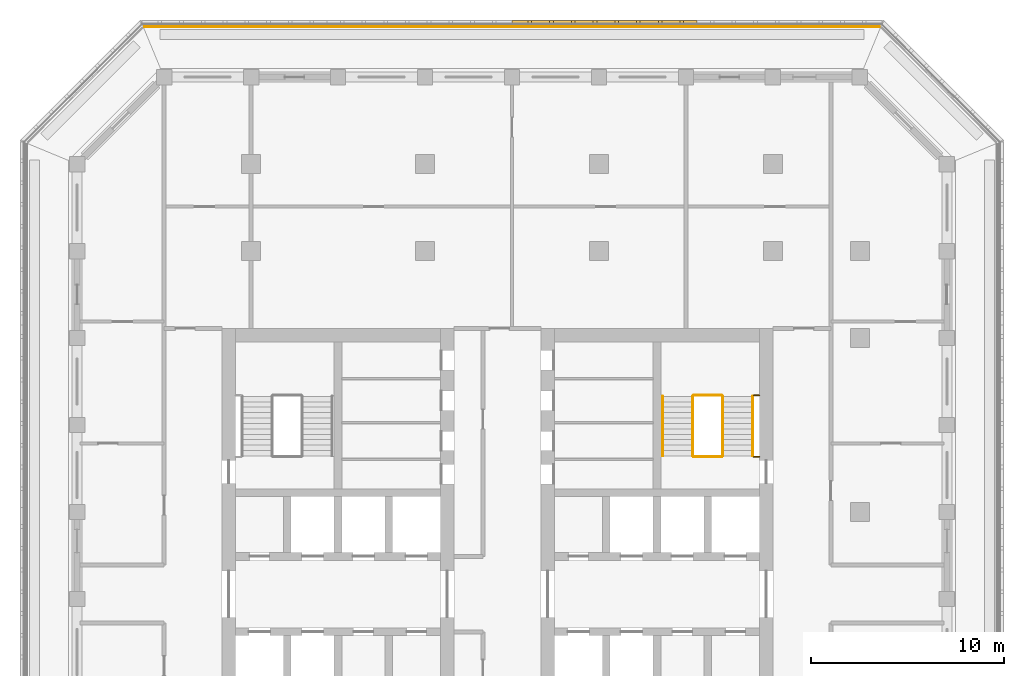
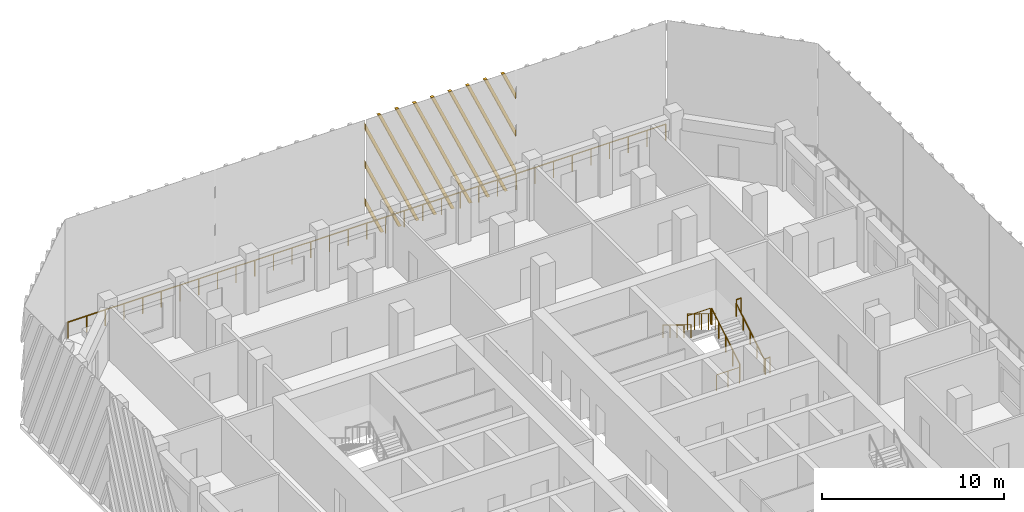
# One storey, part 15 of 17: 9 railings, 1 shading device.
"""IFC4 building model written with IfcOpenShell, lengths in metres."""

from ifc_helpers import new_model, si_unit, direction, frame, origin, origin_2d, place, context, subcontext, project, spatial, polyline, circle, outline, extrude, source, transform, mapped, material, type_object, element, save


model = new_model("IFC4")

# Units and contexts
model_context = context("Model", 3, precision=1e-05, world=origin(), true_north=direction((0.0, 1.0)))
body_context = subcontext(model_context, "Body", "Model", "MODEL_VIEW")
ifc_project = project(units=[si_unit("LENGTHUNIT", "METRE"), si_unit("AREAUNIT", "SQUARE_METRE"), si_unit("VOLUMEUNIT", "CUBIC_METRE"), si_unit("PLANEANGLEUNIT", "RADIAN"), si_unit("MASSUNIT", "GRAM", prefix="KILO")], contexts=[model_context])

# Site, building, storey
site_placement = place(None, origin())
site = spatial("IfcSite", under=ifc_project, at=site_placement, CompositionType="ELEMENT")
building_placement = place(site_placement, origin())
building = spatial("IfcBuilding", under=site, at=building_placement, Name="Corbel Stack Research Tower", CompositionType="ELEMENT")
storey_placement = place(building_placement, frame((0.0, 0.0, 239.800048828125)))
storey = spatial("IfcBuildingStorey", under=building, at=storey_placement, Name="L54", CompositionType="ELEMENT", Elevation=239.800048828125)

# Railings
ifc_material_1 = material(Name="Steel S355", Category="steel")
railing_type_1 = type_object("IfcRailingType", Name="Stair guard 1100", PredefinedType="GUARDRAIL", material=ifc_material_1)
railing_1_placement = place(storey_placement, frame((15.39990234375, 11.89990234375, 0.1708984375)))
element("IfcRailing", 1, at=railing_1_placement, inside=storey, type_object=railing_type_1, Name="L54 ST-E2 stair guard 1", PredefinedType="GUARDRAIL", context=body_context, shape_type="SweptSolid", body=[
    extrude(circle(Radius=0.02392578125, at=origin_2d()), frame((0.0, 0.0, 1.076171875), z_axis=(0.0, 0.853666305674, 0.52082035152), x_axis=(-1.0, 0.0, 0.0)), (0.0, 0.0, 1.0), 3.608154296875),
    extrude(circle(Radius=0.02099609375, at=origin_2d()), origin(), (0.0, 0.0, 1.0), 1.052001953125),
    extrude(circle(Radius=0.02099609375, at=origin_2d()), frame((0.0, 0.77001953125, 0.4697265625)), (0.0, 0.0, 1.0), 1.052001953125),
    extrude(circle(Radius=0.02099609375, at=origin_2d()), frame((0.0, 1.5400390625, 0.939453125)), (0.0, 0.0, 1.0), 1.052001953125),
    extrude(circle(Radius=0.02099609375, at=origin_2d()), frame((0.0, 2.31005859375, 1.409423828125)), (0.0, 0.0, 1.0), 1.052001953125),
    extrude(circle(Radius=0.02099609375, at=origin_2d()), frame((0.0, 3.080078125, 1.879150390625)), (0.0, 0.0, 1.0), 1.052001953125),
])
railing_2_placement = place(storey_placement, frame((15.35009765625, 15.030029296875, 2.050048828125)))
element("IfcRailing", 2, at=railing_2_placement, inside=storey, type_object=railing_type_1, Name="L54 ST-E2 stair guard 2", PredefinedType="GUARDRAIL", context=body_context, shape_type="SweptSolid", body=[
    extrude(circle(Radius=0.02392578125, at=origin_2d()), frame((0.0, 0.0, 1.076171875), z_axis=(-1.0, 0.0, 0.0), x_axis=(0.0, -1.0, 0.0)), (0.0, 0.0, 1.0), 1.4501953125),
    extrude(circle(Radius=0.02099609375, at=origin_2d()), origin(), (0.0, 0.0, 1.0), 1.052001953125),
    extrude(circle(Radius=0.02099609375, at=origin_2d()), frame((-0.72509765625, 0.0, 0.0)), (0.0, 0.0, 1.0), 1.052001953125),
    extrude(circle(Radius=0.02099609375, at=origin_2d()), frame((-1.4501953125, 0.0, 0.0)), (0.0, 0.0, 1.0), 1.052001953125),
])
railing_3_placement = place(storey_placement, frame((17.300048828125, 15.030029296875, 2.050048828125)))
element("IfcRailing", 3, at=railing_3_placement, inside=storey, type_object=railing_type_1, Name="L54 ST-E2 stair guard 3", PredefinedType="GUARDRAIL", context=body_context, shape_type="SweptSolid", body=[
    extrude(circle(Radius=0.02392578125, at=origin_2d()), frame((0.0, 0.0, 1.076171875), z_axis=(-1.0, 0.0, 0.0), x_axis=(0.0, -1.0, 0.0)), (0.0, 0.0, 1.0), 0.300048828125),
    extrude(circle(Radius=0.02099609375, at=origin_2d()), origin(), (0.0, 0.0, 1.0), 1.052001953125),
    extrude(circle(Radius=0.02099609375, at=origin_2d()), frame((-0.300048828125, 0.0, 0.0)), (0.0, 0.0, 1.0), 1.052001953125),
])
railing_4_placement = place(storey_placement, frame((13.85009765625, 14.97998046875, 2.220703125)))
element("IfcRailing", 4, at=railing_4_placement, inside=storey, type_object=railing_type_1, Name="L54 ST-E2 stair guard 4", PredefinedType="GUARDRAIL", context=body_context, shape_type="SweptSolid", body=[
    extrude(circle(Radius=0.02392578125, at=origin_2d()), frame((0.0, 0.0, 1.076171875), z_axis=(0.0, -0.853666305674, 0.52082035152), x_axis=(1.0, 0.0, 0.0)), (0.0, 0.0, 1.0), 3.608154296875),
    extrude(circle(Radius=0.02099609375, at=origin_2d()), origin(), (0.0, 0.0, 1.0), 1.052001953125),
    extrude(circle(Radius=0.02099609375, at=origin_2d()), frame((0.0, -0.77001953125, 0.4697265625)), (0.0, 0.0, 1.0), 1.052001953125),
    extrude(circle(Radius=0.02099609375, at=origin_2d()), frame((0.0, -1.5400390625, 0.939453125)), (0.0, 0.0, 1.0), 1.052001953125),
    extrude(circle(Radius=0.02099609375, at=origin_2d()), frame((0.0, -2.31005859375, 1.409423828125)), (0.0, 0.0, 1.0), 1.052001953125),
    extrude(circle(Radius=0.02099609375, at=origin_2d()), frame((0.0, -3.080078125, 1.879150390625)), (0.0, 0.0, 1.0), 1.052001953125),
])
railing_5_placement = place(storey_placement, frame((15.35009765625, 11.85009765625, 0.0)))
element("IfcRailing", 5, at=railing_5_placement, inside=storey, type_object=railing_type_1, Name="L54 ST-E2 stair guard 5", PredefinedType="GUARDRAIL", context=body_context, shape_type="SweptSolid", body=[
    extrude(circle(Radius=0.02392578125, at=origin_2d()), frame((0.0, 0.0, 1.076171875), z_axis=(-1.0, 0.0, 0.0), x_axis=(0.0, -1.0, 0.0)), (0.0, 0.0, 1.0), 1.4501953125),
    extrude(circle(Radius=0.02099609375, at=origin_2d()), origin(), (0.0, 0.0, 1.0), 1.052001953125),
    extrude(circle(Radius=0.02099609375, at=origin_2d()), frame((-0.72509765625, 0.0, 0.0)), (0.0, 0.0, 1.0), 1.052001953125),
    extrude(circle(Radius=0.02099609375, at=origin_2d()), frame((-1.4501953125, 0.0, 0.0)), (0.0, 0.0, 1.0), 1.052001953125),
])
railing_6_placement = place(storey_placement, frame((17.300048828125, 11.85009765625, 0.0)))
element("IfcRailing", 6, at=railing_6_placement, inside=storey, type_object=railing_type_1, Name="L54 ST-E2 stair guard 6", PredefinedType="GUARDRAIL", context=body_context, shape_type="SweptSolid", body=[
    extrude(circle(Radius=0.02392578125, at=origin_2d()), frame((0.0, 0.0, 1.076171875), z_axis=(-1.0, 0.0, 0.0), x_axis=(0.0, -1.0, 0.0)), (0.0, 0.0, 1.0), 0.300048828125),
    extrude(circle(Radius=0.02099609375, at=origin_2d()), origin(), (0.0, 0.0, 1.0), 1.052001953125),
    extrude(circle(Radius=0.02099609375, at=origin_2d()), frame((-0.300048828125, 0.0, 0.0)), (0.0, 0.0, 1.0), 1.052001953125),
])
ifc_material_2 = material(Name="Steel S355", Category="steel")
railing_type_2 = type_object("IfcRailingType", Name="Stair handrail 900", PredefinedType="HANDRAIL", material=ifc_material_2)
railing_7_placement = place(storey_placement, frame((16.949951171875, 11.89990234375, 0.1708984375)))
element("IfcRailing", 7, at=railing_7_placement, inside=storey, type_object=railing_type_2, Name="L54 ST-E2 stair handrail 1", PredefinedType="HANDRAIL", context=body_context, shape_type="SweptSolid", body=[
    extrude(circle(Radius=0.02392578125, at=origin_2d()), frame((0.0, 0.0, 0.8759765625), z_axis=(0.0, 0.853666305674, 0.52082035152), x_axis=(-1.0, 0.0, 0.0)), (0.0, 0.0, 1.0), 3.608154296875),
    extrude(circle(Radius=0.02099609375, at=origin_2d()), origin(), (0.0, 0.0, 1.0), 0.851806640625),
    extrude(circle(Radius=0.02099609375, at=origin_2d()), frame((0.0, 0.77001953125, 0.4697265625)), (0.0, 0.0, 1.0), 0.851806640625),
    extrude(circle(Radius=0.02099609375, at=origin_2d()), frame((0.0, 1.5400390625, 0.939453125)), (0.0, 0.0, 1.0), 0.851806640625),
    extrude(circle(Radius=0.02099609375, at=origin_2d()), frame((0.0, 2.31005859375, 1.409423828125)), (0.0, 0.0, 1.0), 0.851806640625),
    extrude(circle(Radius=0.02099609375, at=origin_2d()), frame((0.0, 3.080078125, 1.879150390625)), (0.0, 0.0, 1.0), 0.851806640625),
])
railing_8_placement = place(storey_placement, frame((12.300048828125, 14.97998046875, 2.220703125)))
element("IfcRailing", 8, at=railing_8_placement, inside=storey, type_object=railing_type_2, Name="L54 ST-E2 stair handrail 2", PredefinedType="HANDRAIL", context=body_context, shape_type="SweptSolid", body=[
    extrude(circle(Radius=0.02392578125, at=origin_2d()), frame((0.0, 0.0, 0.8759765625), z_axis=(0.0, -0.853666305674, 0.52082035152), x_axis=(1.0, 0.0, 0.0)), (0.0, 0.0, 1.0), 3.608154296875),
    extrude(circle(Radius=0.02099609375, at=origin_2d()), origin(), (0.0, 0.0, 1.0), 0.851806640625),
    extrude(circle(Radius=0.02099609375, at=origin_2d()), frame((0.0, -0.77001953125, 0.4697265625)), (0.0, 0.0, 1.0), 0.851806640625),
    extrude(circle(Radius=0.02099609375, at=origin_2d()), frame((0.0, -1.5400390625, 0.939453125)), (0.0, 0.0, 1.0), 0.851806640625),
    extrude(circle(Radius=0.02099609375, at=origin_2d()), frame((0.0, -2.31005859375, 1.409423828125)), (0.0, 0.0, 1.0), 0.851806640625),
    extrude(circle(Radius=0.02099609375, at=origin_2d()), frame((0.0, -3.080078125, 1.879150390625)), (0.0, 0.0, 1.0), 0.851806640625),
])
ifc_material_3 = material(Name="Powder-coated steel guard", Category="steel")
railing_type_3 = type_object("IfcRailingType", Name="Steel and glass guard 1100", PredefinedType="GUARDRAIL", material=ifc_material_3)
railing_9_placement = place(storey_placement, frame((23.50537109375, 34.10009765625, 0.0)))
element("IfcRailing", 9, at=railing_9_placement, inside=storey, type_object=railing_type_3, Name="Loggia guard L54 N", PredefinedType="GUARDRAIL", context=body_context, shape_type="SweptSolid", body=[
    extrude(circle(Radius=0.02392578125, at=origin_2d()), frame((0.0, 0.0, 1.076171875), z_axis=(-1.0, 0.0, 0.0), x_axis=(0.0, -1.0, 0.0)), (0.0, 0.0, 1.0), 38.0107421875),
    extrude(circle(Radius=0.02099609375, at=origin_2d()), origin(), (0.0, 0.0, 1.0), 1.052001953125),
    extrude(circle(Radius=0.02099609375, at=origin_2d()), frame((-1.187744140625, 0.0, 0.0)), (0.0, 0.0, 1.0), 1.052001953125),
    extrude(circle(Radius=0.02099609375, at=origin_2d()), frame((-2.375732421875, 0.0, 0.0)), (0.0, 0.0, 1.0), 1.052001953125),
    extrude(circle(Radius=0.02099609375, at=origin_2d()), frame((-3.5634765625, 0.0, 0.0)), (0.0, 0.0, 1.0), 1.052001953125),
    extrude(circle(Radius=0.02099609375, at=origin_2d()), frame((-4.75146484375, 0.0, 0.0)), (0.0, 0.0, 1.0), 1.052001953125),
    extrude(circle(Radius=0.02099609375, at=origin_2d()), frame((-5.939208984375, 0.0, 0.0)), (0.0, 0.0, 1.0), 1.052001953125),
    extrude(circle(Radius=0.02099609375, at=origin_2d()), frame((-7.126953125, 0.0, 0.0)), (0.0, 0.0, 1.0), 1.052001953125),
    extrude(circle(Radius=0.02099609375, at=origin_2d()), frame((-8.31494140625, 0.0, 0.0)), (0.0, 0.0, 1.0), 1.052001953125),
    extrude(circle(Radius=0.02099609375, at=origin_2d()), frame((-9.502685546875, 0.0, 0.0)), (0.0, 0.0, 1.0), 1.052001953125),
    extrude(circle(Radius=0.02099609375, at=origin_2d()), frame((-10.6904296875, 0.0, 0.0)), (0.0, 0.0, 1.0), 1.052001953125),
    extrude(circle(Radius=0.02099609375, at=origin_2d()), frame((-11.87841796875, 0.0, 0.0)), (0.0, 0.0, 1.0), 1.052001953125),
    extrude(circle(Radius=0.02099609375, at=origin_2d()), frame((-13.066162109375, 0.0, 0.0)), (0.0, 0.0, 1.0), 1.052001953125),
    extrude(circle(Radius=0.02099609375, at=origin_2d()), frame((-14.25390625, 0.0, 0.0)), (0.0, 0.0, 1.0), 1.052001953125),
    extrude(circle(Radius=0.02099609375, at=origin_2d()), frame((-15.44189453125, 0.0, 0.0)), (0.0, 0.0, 1.0), 1.052001953125),
    extrude(circle(Radius=0.02099609375, at=origin_2d()), frame((-16.629638671875, 0.0, 0.0)), (0.0, 0.0, 1.0), 1.052001953125),
    extrude(circle(Radius=0.02099609375, at=origin_2d()), frame((-17.817626953125, 0.0, 0.0)), (0.0, 0.0, 1.0), 1.052001953125),
    extrude(circle(Radius=0.02099609375, at=origin_2d()), frame((-19.00537109375, 0.0, 0.0)), (0.0, 0.0, 1.0), 1.052001953125),
    extrude(circle(Radius=0.02099609375, at=origin_2d()), frame((-20.193115234375, 0.0, 0.0)), (0.0, 0.0, 1.0), 1.052001953125),
    extrude(circle(Radius=0.02099609375, at=origin_2d()), frame((-21.381103515625, 0.0, 0.0)), (0.0, 0.0, 1.0), 1.052001953125),
    extrude(circle(Radius=0.02099609375, at=origin_2d()), frame((-22.56884765625, 0.0, 0.0)), (0.0, 0.0, 1.0), 1.052001953125),
    extrude(circle(Radius=0.02099609375, at=origin_2d()), frame((-23.7568359375, 0.0, 0.0)), (0.0, 0.0, 1.0), 1.052001953125),
    extrude(circle(Radius=0.02099609375, at=origin_2d()), frame((-24.944580078125, 0.0, 0.0)), (0.0, 0.0, 1.0), 1.052001953125),
    extrude(circle(Radius=0.02099609375, at=origin_2d()), frame((-26.13232421875, 0.0, 0.0)), (0.0, 0.0, 1.0), 1.052001953125),
    extrude(circle(Radius=0.02099609375, at=origin_2d()), frame((-27.3203125, 0.0, 0.0)), (0.0, 0.0, 1.0), 1.052001953125),
    extrude(circle(Radius=0.02099609375, at=origin_2d()), frame((-28.508056640625, 0.0, 0.0)), (0.0, 0.0, 1.0), 1.052001953125),
    extrude(circle(Radius=0.02099609375, at=origin_2d()), frame((-29.69580078125, 0.0, 0.0)), (0.0, 0.0, 1.0), 1.052001953125),
    extrude(circle(Radius=0.02099609375, at=origin_2d()), frame((-30.8837890625, 0.0, 0.0)), (0.0, 0.0, 1.0), 1.052001953125),
    extrude(circle(Radius=0.02099609375, at=origin_2d()), frame((-32.071533203125, 0.0, 0.0)), (0.0, 0.0, 1.0), 1.052001953125),
    extrude(circle(Radius=0.02099609375, at=origin_2d()), frame((-33.25927734375, 0.0, 0.0)), (0.0, 0.0, 1.0), 1.052001953125),
    extrude(circle(Radius=0.02099609375, at=origin_2d()), frame((-34.447265625, 0.0, 0.0)), (0.0, 0.0, 1.0), 1.052001953125),
    extrude(circle(Radius=0.02099609375, at=origin_2d()), frame((-35.635009765625, 0.0, 0.0)), (0.0, 0.0, 1.0), 1.052001953125),
    extrude(circle(Radius=0.02099609375, at=origin_2d()), frame((-36.822998046875, 0.0, 0.0)), (0.0, 0.0, 1.0), 1.052001953125),
    extrude(circle(Radius=0.02099609375, at=origin_2d()), frame((-38.0107421875, 0.0, 0.0)), (0.0, 0.0, 1.0), 1.052001953125),
])

# Shading device
ifc_material_4 = material(Name="Precast terracotta", Category="masonry")
shading_device_type = type_object("IfcShadingDeviceType", Name="Terracotta screen panel", PredefinedType="USERDEFINED", material=ifc_material_4)
shared_shape = source(origin(), body_context, "Body", "SweptSolid", [
    extrude(outline(polyline([(0.87548828125, 7.949951171875), (0.685546875, 7.949951171875), (0.0, 6.410400390625), (0.0, 5.983642578125), (0.87548828125, 7.949951171875)])), frame((0.0, 0.0, 0.0), z_axis=(0.0, -1.0, 0.0), x_axis=(1.0, 0.0, 0.0)), (0.0, 0.0, 1.0), 0.179931640625),
    extrude(outline(polyline([(2.00048828125, 7.949951171875), (1.810546875, 7.949951171875), (0.0, 3.883544921875), (0.0, 3.456787109375), (2.00048828125, 7.949951171875)])), frame((0.0, 0.0, 0.0), z_axis=(0.0, -1.0, 0.0), x_axis=(1.0, 0.0, 0.0)), (0.0, 0.0, 1.0), 0.179931640625),
    extrude(outline(polyline([(3.12548828125, 7.949951171875), (2.935546875, 7.949951171875), (0.0, 1.356689453125), (0.0, 0.93017578125), (3.12548828125, 7.949951171875)])), frame((0.0, 0.0, 0.0), z_axis=(0.0, -1.0, 0.0), x_axis=(1.0, 0.0, 0.0)), (0.0, 0.0, 1.0), 0.179931640625),
    extrude(outline(polyline([(0.7109375, 0.0), (4.25048828125, 7.949951171875), (4.060546875, 7.949951171875), (0.52099609375, 0.0), (0.7109375, 0.0)])), frame((0.0, 0.0, 0.0), z_axis=(0.0, -1.0, 0.0), x_axis=(1.0, 0.0, 0.0)), (0.0, 0.0, 1.0), 0.179931640625),
    extrude(outline(polyline([(1.8359375, 0.0), (5.37548828125, 7.949951171875), (5.185546875, 7.949951171875), (1.64599609375, 0.0), (1.8359375, 0.0)])), frame((0.0, 0.0, 0.0), z_axis=(0.0, -1.0, 0.0), x_axis=(1.0, 0.0, 0.0)), (0.0, 0.0, 1.0), 0.179931640625),
    extrude(outline(polyline([(2.9609375, 0.0), (6.50048828125, 7.949951171875), (6.310546875, 7.949951171875), (2.77099609375, 0.0), (2.9609375, 0.0)])), frame((0.0, 0.0, 0.0), z_axis=(0.0, -1.0, 0.0), x_axis=(1.0, 0.0, 0.0)), (0.0, 0.0, 1.0), 0.179931640625),
    extrude(outline(polyline([(4.0859375, 0.0), (7.62548828125, 7.949951171875), (7.435546875, 7.949951171875), (3.89599609375, 0.0), (4.0859375, 0.0)])), frame((0.0, 0.0, 0.0), z_axis=(0.0, -1.0, 0.0), x_axis=(1.0, 0.0, 0.0)), (0.0, 0.0, 1.0), 0.179931640625),
    extrude(outline(polyline([(5.2109375, 0.0), (8.75048828125, 7.949951171875), (8.560546875, 7.949951171875), (5.02099609375, 0.0), (5.2109375, 0.0)])), frame((0.0, 0.0, 0.0), z_axis=(0.0, -1.0, 0.0), x_axis=(1.0, 0.0, 0.0)), (0.0, 0.0, 1.0), 0.179931640625),
    extrude(outline(polyline([(6.3359375, 0.0), (9.569580078125, 7.262939453125), (9.569580078125, 7.689697265625), (6.14599609375, 0.0), (6.3359375, 0.0)])), frame((0.0, 0.0, 0.0), z_axis=(0.0, -1.0, 0.0), x_axis=(1.0, 0.0, 0.0)), (0.0, 0.0, 1.0), 0.179931640625),
    extrude(outline(polyline([(7.4609375, 0.0), (9.569580078125, 4.736083984375), (9.569580078125, 5.162841796875), (7.27099609375, 0.0), (7.4609375, 0.0)])), frame((0.0, 0.0, 0.0), z_axis=(0.0, -1.0, 0.0), x_axis=(1.0, 0.0, 0.0)), (0.0, 0.0, 1.0), 0.179931640625),
    extrude(outline(polyline([(8.5859375, 0.0), (9.569580078125, 2.209228515625), (9.569580078125, 2.635986328125), (8.39599609375, 0.0), (8.5859375, 0.0)])), frame((0.0, 0.0, 0.0), z_axis=(0.0, -1.0, 0.0), x_axis=(1.0, 0.0, 0.0)), (0.0, 0.0, 1.0), 0.179931640625),
])
shading_device_placement = place(storey_placement, frame((14.069580078125, 34.25, 0.0), z_axis=(0.0, 0.0, 1.0), x_axis=(-1.0, 0.0, 0.0)))
element("IfcShadingDevice", 10, at=shading_device_placement, inside=storey, type_object=shading_device_type, Name="Terracotta screen L54 N2", ObjectType="SCREEN", PredefinedType="USERDEFINED", context=body_context, shape_type="MappedRepresentation", body=[
    mapped(shared_shape, transform((0.0, 0.0, 0.0))),
])

save(model, "model.ifc")
